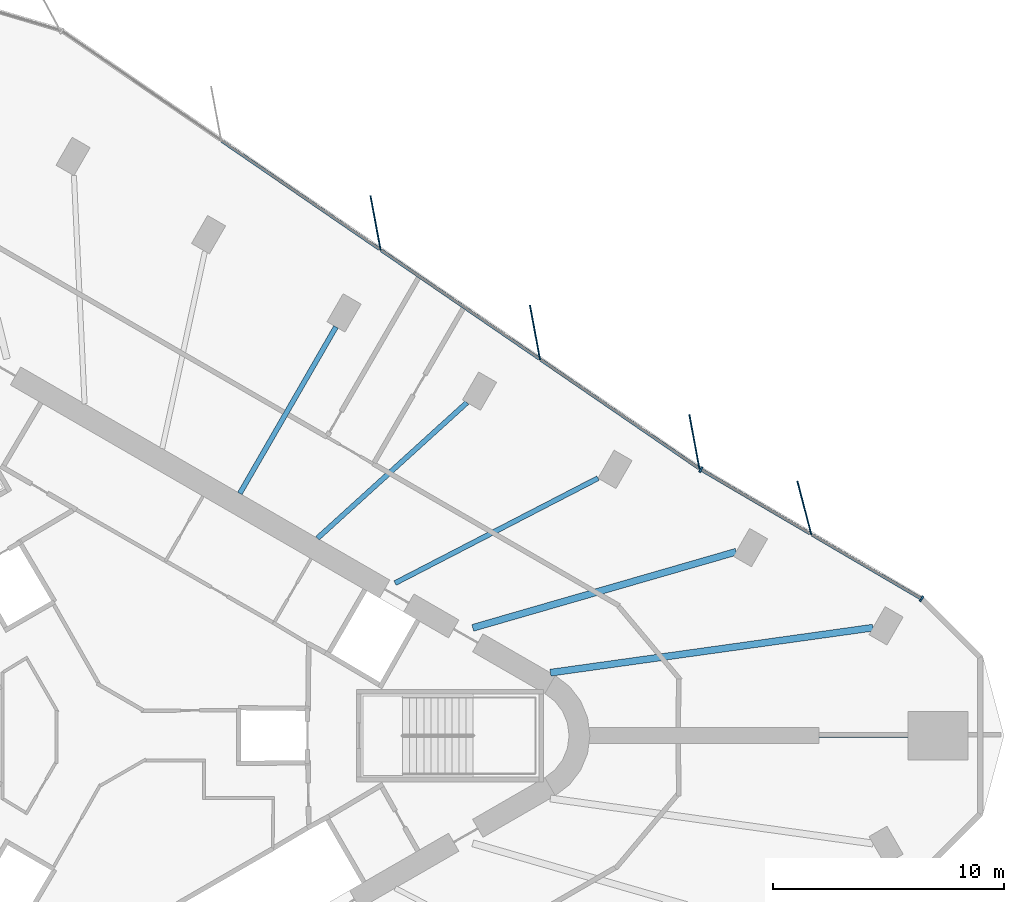
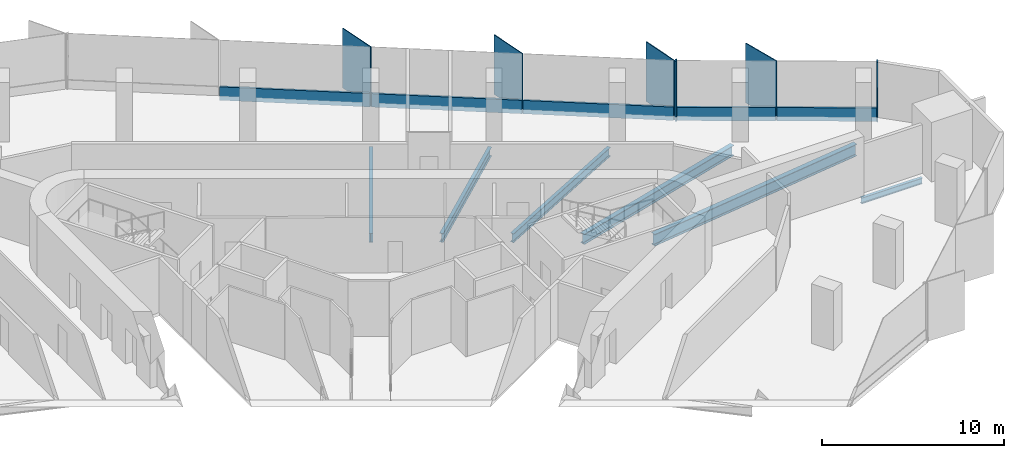
# One storey, part 5 of 13: 11 members, 6 beams, 2 elements without a shape of their own.
"""IFC4 building model written with IfcOpenShell, lengths in metres."""

from ifc_helpers import new_model, si_unit, direction, frame, origin, origin_2d, place, context, subcontext, project, spatial, rectangle, i_section, extrude, material, material_profile, profile_set, type_object, element, aggregate, save


model = new_model("IFC4")

# Units and contexts
model_context = context("Model", 3, precision=1e-05, world=origin(), true_north=direction((0.0, 1.0)))
body_context = subcontext(model_context, "Body", "Model", "MODEL_VIEW")
ifc_project = project(units=[si_unit("LENGTHUNIT", "METRE"), si_unit("AREAUNIT", "SQUARE_METRE"), si_unit("VOLUMEUNIT", "CUBIC_METRE"), si_unit("PLANEANGLEUNIT", "RADIAN"), si_unit("MASSUNIT", "GRAM", prefix="KILO")], contexts=[model_context])

# Site, building, storey
site_placement = place(None, origin())
site = spatial("IfcSite", under=ifc_project, at=site_placement, CompositionType="ELEMENT")
building_placement = place(site_placement, origin())
building = spatial("IfcBuilding", under=site, at=building_placement, Name="Tanit Gate Tower", CompositionType="ELEMENT")
storey_placement = place(building_placement, frame((0.0, 0.0, 269.199951171875)))
storey = spatial("IfcBuildingStorey", under=building, at=storey_placement, Name="L61", CompositionType="ELEMENT", Elevation=269.199951171875)

# Curtain wall, member
ifc_material_1 = material(Name="Aluminium bronze anodised and glass", Category="aluminium")
curtain_wall_type = type_object("IfcCurtainWallType", Name="Curtain wall typical mid", PredefinedType="NOTDEFINED", material=ifc_material_1)
curtain_wall_1_placement = place(storey_placement, origin())
curtain_wall_1 = element("IfcCurtainWall", 1, at=curtain_wall_1_placement, inside=storey, type_object=curtain_wall_type, Name="Curtain wall L61 NE1", PredefinedType="NOTDEFINED")
ifc_material_2 = material(Name="Aluminium bronze anodised", Category="aluminium")
ifc_material_profile_1 = material_profile(ifc_material_2, rectangle(XDim=2.39990234375, YDim=0.055908203125, at=origin_2d()), Name="56x2400 bronze fin mullion")
ifc_profile_set_1 = profile_set([ifc_material_profile_1], Name="Aluminium bronze anodised")
member_type_1 = type_object("IfcMemberType", Name="FIN MULLION 56x2400 bronze", PredefinedType="MULLION", material=ifc_profile_set_1)
member_1_placement = place(storey_placement, frame((30.47998046875, 9.8564453125, -0.300048828125), z_axis=(0.0, 0.0, 1.0), x_axis=(0.252657341171, -0.967555821621, 0.0)))
member_1 = element("IfcMember", 2, at=member_1_placement, type_object=member_type_1, Name="Fin mullion L61 NE1.2", PredefinedType="MULLION", context=body_context, shape_type="SweptSolid", body=[
    extrude(rectangle(XDim=2.39990234375, YDim=0.055908203125, at=origin_2d()), origin(), (0.0, 0.0, 1.0), 4.0),
])

# Curtain wall, members
curtain_wall_2_placement = place(storey_placement, origin())
curtain_wall_2 = element("IfcCurtainWall", 3, at=curtain_wall_2_placement, inside=storey, type_object=curtain_wall_type, Name="Curtain wall L61 NE2", PredefinedType="NOTDEFINED")
member_2_placement = place(storey_placement, frame((25.72216796875, 12.713623046875, -0.300048828125), z_axis=(0.0, 0.0, 1.0), x_axis=(0.182983013261, -0.983116074967, 0.0)))
member_2 = element("IfcMember", 4, at=member_2_placement, type_object=member_type_1, Name="Fin mullion L61 NE2.1", PredefinedType="MULLION", context=body_context, shape_type="SweptSolid", body=[
    extrude(rectangle(XDim=2.39990234375, YDim=0.055908203125, at=origin_2d()), origin(), (0.0, 0.0, 1.0), 4.0),
])
member_3_placement = place(storey_placement, frame((18.8232421875, 17.447509765625, -0.300048828125), z_axis=(0.0, 0.0, 1.0), x_axis=(0.182983013261, -0.983116074967, 0.0)))
member_3 = element("IfcMember", 5, at=member_3_placement, type_object=member_type_1, Name="Fin mullion L61 NE2.2", PredefinedType="MULLION", context=body_context, shape_type="SweptSolid", body=[
    extrude(rectangle(XDim=2.39990234375, YDim=0.055908203125, at=origin_2d()), origin(), (0.0, 0.0, 1.0), 4.0),
])
member_4_placement = place(storey_placement, frame((11.92431640625, 22.181396484375, -0.300048828125), z_axis=(0.0, 0.0, 1.0), x_axis=(0.182983013261, -0.983116074967, 0.0)))
member_4 = element("IfcMember", 6, at=member_4_placement, type_object=member_type_1, Name="Fin mullion L61 NE2.3", PredefinedType="MULLION", context=body_context, shape_type="SweptSolid", body=[
    extrude(rectangle(XDim=2.39990234375, YDim=0.055908203125, at=origin_2d()), origin(), (0.0, 0.0, 1.0), 4.0),
])

# Member
ifc_material_3 = material(Name="Aluminium bronze anodised", Category="aluminium")
ifc_material_profile_2 = material_profile(ifc_material_3, rectangle(XDim=0.260009765625, YDim=0.080078125, at=origin_2d()), Name="80x260 bronze mullion")
ifc_profile_set_2 = profile_set([ifc_material_profile_2], Name="Aluminium bronze anodised")
member_type_2 = type_object("IfcMemberType", Name="Mullion 80x260 typical mid", PredefinedType="MULLION", material=ifc_profile_set_2)
member_5_placement = place(storey_placement, frame((35.550537109375, 5.919677734375, -0.300048828125), z_axis=(0.0, 0.0, 1.0), x_axis=(-0.505509563386, -0.862821001903, 0.0)))
member_5 = element("IfcMember", 7, at=member_5_placement, type_object=member_type_2, Name="Mullion L61 NE1.1", PredefinedType="MULLION", context=body_context, shape_type="SweptSolid", body=[
    extrude(rectangle(XDim=0.260009765625, YDim=0.080078125, at=origin_2d()), origin(), (0.0, 0.0, 1.0), 4.0),
])

member_6_placement = place(storey_placement, frame((26.00537109375, 11.511962890625, -0.300048828125), z_axis=(0.0, 0.0, 1.0), x_axis=(-0.505509563386, -0.862821001903, 0.0)))
member_6 = element("IfcMember", 8, at=member_6_placement, type_object=member_type_2, Name="Mullion L61 NE1.3", PredefinedType="MULLION", context=body_context, shape_type="SweptSolid", body=[
    extrude(rectangle(XDim=0.260009765625, YDim=0.080078125, at=origin_2d()), origin(), (0.0, 0.0, 1.0), 4.0),
])

# Beams
ifc_material_4 = material(Name="Steel S355", Category="steel")
ifc_material_profile_3 = material_profile(ifc_material_4, i_section(OverallWidth=0.300048828125, OverallDepth=0.68994140625, WebThickness=0.014404296875, FlangeThickness=0.027099609375, FilletRadius=0.027099609375, at=origin_2d()), Name="HEA 700")
ifc_profile_set_3 = profile_set([ifc_material_profile_3], Name="Steel S355")
beam_type_1 = type_object("IfcBeamType", Name="RADIAL GIRDER HEA 700 S355", PredefinedType="BEAM", material=ifc_profile_set_3)
beam_1_placement = place(storey_placement, frame((27.528564453125, 7.955078125, -0.64501953125), z_axis=(-0.960692598628, -0.277614356511, 0.0), x_axis=(0.277614356511, -0.960692598628, 0.0)))
element("IfcBeam", 9, at=beam_1_placement, inside=storey, type_object=beam_type_1, Name="RADIAL GIRDER", PredefinedType="BEAM", context=body_context, shape_type="SweptSolid", body=[
    extrude(i_section(OverallWidth=0.300048828125, OverallDepth=0.68994140625, WebThickness=0.014404296875, FlangeThickness=0.027099609375, FilletRadius=0.027099609375, at=origin_2d()), origin(), (0.0, 0.0, 1.0), 11.8642578125),
])
ifc_material_5 = material(Name="Steel S355", Category="steel")
ifc_material_profile_4 = material_profile(ifc_material_5, i_section(OverallWidth=0.300048828125, OverallDepth=0.7900390625, WebThickness=0.014892578125, FlangeThickness=0.028076171875, FilletRadius=0.030029296875, at=origin_2d()), Name="HEA 800")
ifc_profile_set_4 = profile_set([ifc_material_profile_4], Name="Steel S355")
beam_type_2 = type_object("IfcBeamType", Name="RADIAL GIRDER HEA 800 S355", PredefinedType="BEAM", material=ifc_profile_set_4)
beam_2_placement = place(storey_placement, frame((33.450927734375, 4.6708984375, -0.695068359375), z_axis=(-0.990390390759, -0.138299941769, 0.0), x_axis=(0.138299941769, -0.990390390759, 0.0)))
element("IfcBeam", 10, at=beam_2_placement, inside=storey, type_object=beam_type_2, Name="RADIAL GIRDER", PredefinedType="BEAM", context=body_context, shape_type="SweptSolid", body=[
    extrude(i_section(OverallWidth=0.300048828125, OverallDepth=0.7900390625, WebThickness=0.014892578125, FlangeThickness=0.028076171875, FilletRadius=0.030029296875, at=origin_2d()), origin(), (0.0, 0.0, 1.0), 14.095947265625),
])
ifc_material_6 = material(Name="Steel S355", Category="steel")
ifc_material_profile_5 = material_profile(ifc_material_6, i_section(OverallWidth=0.179931640625, OverallDepth=0.39990234375, WebThickness=0.008544921875, FlangeThickness=0.013427734375, FilletRadius=0.02099609375, at=origin_2d()), Name="IPE 400")
ifc_profile_set_5 = profile_set([ifc_material_profile_5], Name="Steel S355")
beam_type_3 = type_object("IfcBeamType", Name="RADIAL GIRDER IPE 400 S355", PredefinedType="BEAM", material=ifc_profile_set_5)
beam_3_placement = place(storey_placement, frame((34.97021484375, 0.0, -0.5), z_axis=(-1.0, 0.0, 0.0), x_axis=(0.0, -1.0, 0.0)))
element("IfcBeam", 11, at=beam_3_placement, inside=storey, type_object=beam_type_3, Name="RADIAL GIRDER", PredefinedType="BEAM", context=body_context, shape_type="SweptSolid", body=[
    extrude(i_section(OverallWidth=0.179931640625, OverallDepth=0.39990234375, WebThickness=0.008544921875, FlangeThickness=0.013427734375, FilletRadius=0.02099609375, at=origin_2d()), origin(), (0.0, 0.0, 1.0), 3.855712890625),
])
ifc_material_7 = material(Name="Steel S355", Category="steel")
ifc_material_profile_6 = material_profile(ifc_material_7, i_section(OverallWidth=0.219970703125, OverallDepth=0.60009765625, WebThickness=0.011962890625, FlangeThickness=0.01904296875, FilletRadius=0.02392578125, at=origin_2d()), Name="IPE 600")
ifc_profile_set_6 = profile_set([ifc_material_profile_6], Name="Steel S355")
beam_type_4 = type_object("IfcBeamType", Name="RADIAL GIRDER IPE 600 S355", PredefinedType="BEAM", material=ifc_profile_set_6)
beam_4_placement = place(storey_placement, frame((21.5498046875, 11.138916015625, -0.599853515625), z_axis=(-0.888343449029, -0.459179612534, 0.0), x_axis=(0.459179612534, -0.888343449029, 0.0)))
element("IfcBeam", 12, at=beam_4_placement, inside=storey, type_object=beam_type_4, Name="RADIAL GIRDER", PredefinedType="BEAM", context=body_context, shape_type="SweptSolid", body=[
    extrude(i_section(OverallWidth=0.219970703125, OverallDepth=0.60009765625, WebThickness=0.011962890625, FlangeThickness=0.01904296875, FilletRadius=0.02392578125, at=origin_2d()), origin(), (0.0, 0.0, 1.0), 9.882568359375),
])
beam_5_placement = place(storey_placement, frame((15.88037109375, 14.412109375, -0.599853515625), z_axis=(-0.740510084362, -0.672045247701, 0.0), x_axis=(0.672045247701, -0.740510084362, 0.0)))
element("IfcBeam", 13, at=beam_5_placement, inside=storey, type_object=beam_type_4, Name="RADIAL GIRDER", PredefinedType="BEAM", context=body_context, shape_type="SweptSolid", body=[
    extrude(i_section(OverallWidth=0.219970703125, OverallDepth=0.60009765625, WebThickness=0.011962890625, FlangeThickness=0.01904296875, FilletRadius=0.02392578125, at=origin_2d()), origin(), (0.0, 0.0, 1.0), 8.736572265625),
])
beam_6_placement = place(storey_placement, frame((10.210693359375, 17.685546875, -0.599853515625), z_axis=(-0.499995954789, -0.866027739276, 0.0), x_axis=(0.866027739276, -0.499995954789, 0.0)))
element("IfcBeam", 14, at=beam_6_placement, inside=storey, type_object=beam_type_4, Name="RADIAL GIRDER", PredefinedType="BEAM", context=body_context, shape_type="SweptSolid", body=[
    extrude(i_section(OverallWidth=0.219970703125, OverallDepth=0.60009765625, WebThickness=0.011962890625, FlangeThickness=0.01904296875, FilletRadius=0.02392578125, at=origin_2d()), origin(), (0.0, 0.0, 1.0), 8.3193359375),
])

# Member
ifc_material_8 = material(Name="Aluminium bronze anodised", Category="aluminium")
ifc_material_profile_7 = material_profile(ifc_material_8, rectangle(XDim=0.139892578125, YDim=0.89990234375, at=origin_2d()), Name="140x900 bronze transom")
ifc_profile_set_7 = profile_set([ifc_material_profile_7], Name="Aluminium bronze anodised")
member_type_3 = type_object("IfcMemberType", Name="Transom 140x900 typical mid", PredefinedType="USERDEFINED", material=ifc_profile_set_7)
member_7_placement = place(storey_placement, frame((35.515869140625, 5.93994140625, 0.150146484375), z_axis=(-0.86282057378, 0.505510294121, 0.0), x_axis=(-0.505510294121, -0.86282057378, 0.0)))
member_7 = element("IfcMember", 15, at=member_7_placement, type_object=member_type_3, Name="Transom L61 NE1.1", ObjectType="TRANSOM", PredefinedType="USERDEFINED", context=body_context, shape_type="SweptSolid", body=[
    extrude(rectangle(XDim=0.139892578125, YDim=0.89990234375, at=origin_2d()), origin(), (0.0, 0.0, 1.0), 5.451171875),
])

member_8_placement = place(storey_placement, frame((30.743408203125, 8.736083984375, 0.150146484375), z_axis=(-0.862832018003, 0.505490760261, 0.0), x_axis=(-0.505490760261, -0.862832018003, 0.0)))
member_8 = element("IfcMember", 16, at=member_8_placement, type_object=member_type_3, Name="Transom L61 NE1.2", ObjectType="TRANSOM", PredefinedType="USERDEFINED", context=body_context, shape_type="SweptSolid", body=[
    extrude(rectangle(XDim=0.139892578125, YDim=0.89990234375, at=origin_2d()), origin(), (0.0, 0.0, 1.0), 5.451416015625),
])

aggregate(curtain_wall_1, [member_5, member_1, member_6, member_7, member_8])

member_9_placement = place(storey_placement, frame((25.90478515625, 11.577392578125, 0.150146484375), z_axis=(-0.824560783398, 0.565773377318, 0.0), x_axis=(-0.565773377318, -0.824560783398, 0.0)))
member_9 = element("IfcMember", 17, at=member_9_placement, type_object=member_type_3, Name="Transom L61 NE2.1", ObjectType="TRANSOM", PredefinedType="USERDEFINED", context=body_context, shape_type="SweptSolid", body=[
    extrude(rectangle(XDim=0.139892578125, YDim=0.89990234375, at=origin_2d()), origin(), (0.0, 0.0, 1.0), 8.286865234375),
])

member_10_placement = place(storey_placement, frame((19.005859375, 16.311279296875, 0.150146484375), z_axis=(-0.824560783398, 0.565773377318, 0.0), x_axis=(-0.565773377318, -0.824560783398, 0.0)))
member_10 = element("IfcMember", 18, at=member_10_placement, type_object=member_type_3, Name="Transom L61 NE2.2", ObjectType="TRANSOM", PredefinedType="USERDEFINED", context=body_context, shape_type="SweptSolid", body=[
    extrude(rectangle(XDim=0.139892578125, YDim=0.89990234375, at=origin_2d()), origin(), (0.0, 0.0, 1.0), 8.286865234375),
])

member_11_placement = place(storey_placement, frame((12.10693359375, 21.044921875, 0.150146484375), z_axis=(-0.824547039294, 0.565793407519, 0.0), x_axis=(-0.565793407519, -0.824547039294, 0.0)))
member_11 = element("IfcMember", 19, at=member_11_placement, type_object=member_type_3, Name="Transom L61 NE2.3", ObjectType="TRANSOM", PredefinedType="USERDEFINED", context=body_context, shape_type="SweptSolid", body=[
    extrude(rectangle(XDim=0.139892578125, YDim=0.89990234375, at=origin_2d()), origin(), (0.0, 0.0, 1.0), 8.286865234375),
])

aggregate(curtain_wall_2, [member_2, member_3, member_4, member_9, member_10, member_11])

save(model, "model.ifc")
